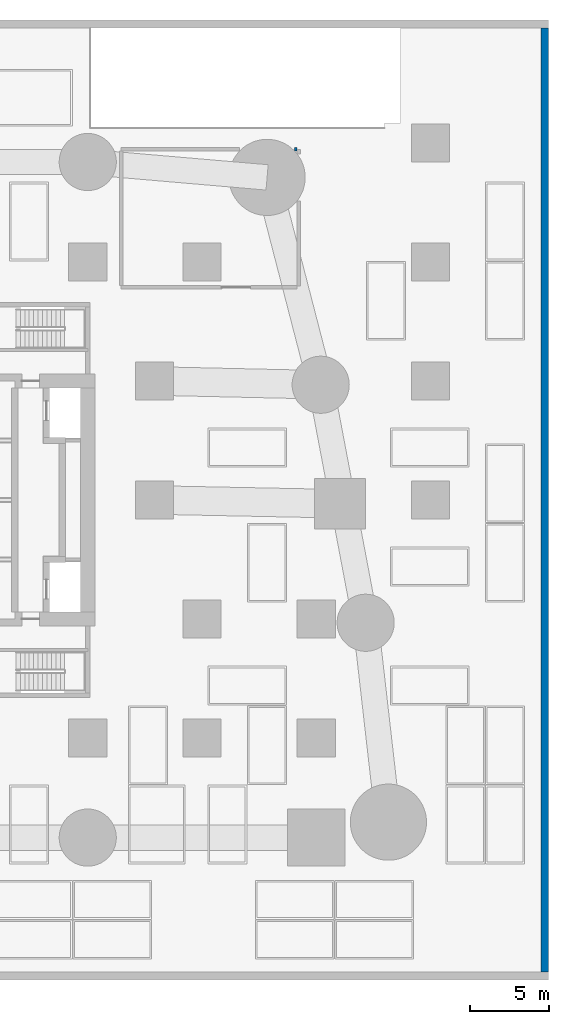
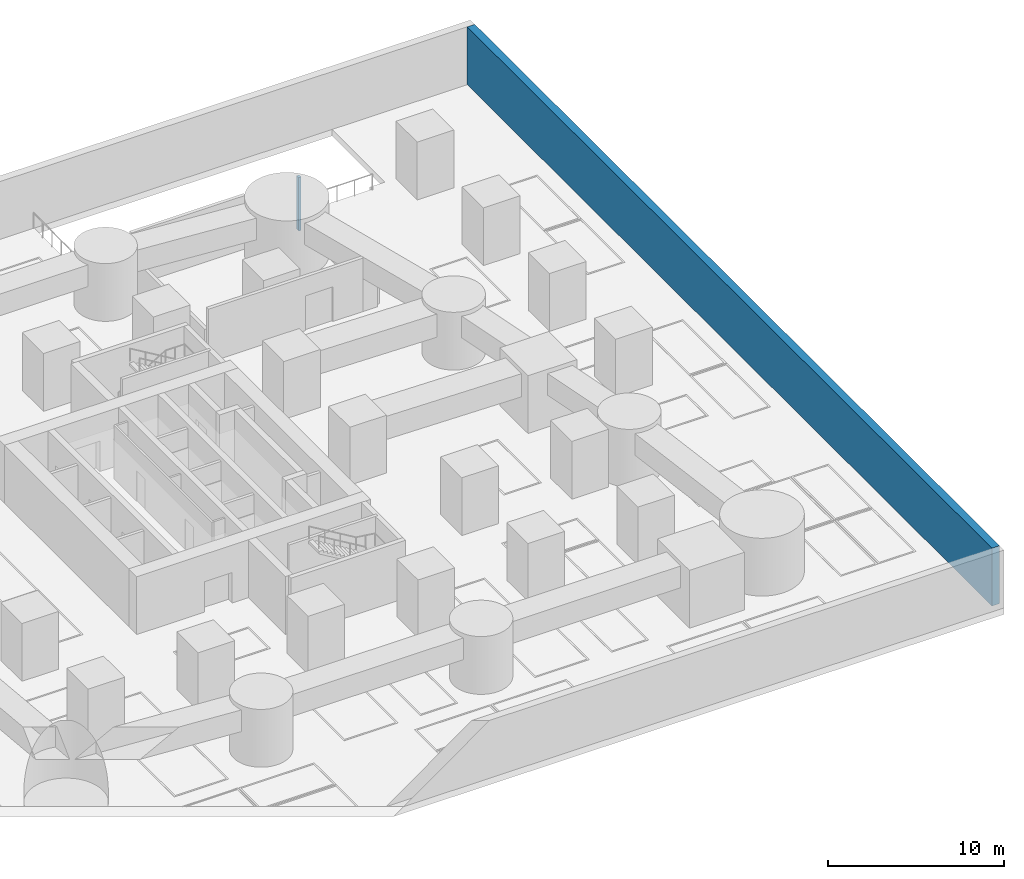
# One storey, part 5 of 8: 2 walls.
"""IFC4 building model written with IfcOpenShell, lengths in metres."""

from ifc_helpers import new_model, si_unit, direction, frame, frame_2d, origin, place, context, subcontext, project, spatial, rectangle, extrude, material, layer, layer_set, type_object, element, save


model = new_model("IFC4")

# Units and contexts
model_context = context("Model", 3, precision=1e-05, world=origin(), true_north=direction((0.0, 1.0)))
body_context = subcontext(model_context, "Body", "Model", "MODEL_VIEW")
ifc_project = project(units=[si_unit("LENGTHUNIT", "METRE"), si_unit("AREAUNIT", "SQUARE_METRE"), si_unit("VOLUMEUNIT", "CUBIC_METRE"), si_unit("PLANEANGLEUNIT", "RADIAN"), si_unit("MASSUNIT", "GRAM", prefix="KILO")], contexts=[model_context])

# Site, building, storey
site_placement = place(None, origin())
site = spatial("IfcSite", under=ifc_project, at=site_placement, CompositionType="ELEMENT")
building_placement = place(site_placement, origin())
building = spatial("IfcBuilding", under=site, at=building_placement, Name="Sheger Commons Tower", CompositionType="ELEMENT")
storey_placement = place(building_placement, frame((0.0, 0.0, -4.0)))
storey = spatial("IfcBuildingStorey", under=building, at=storey_placement, Name="B1", CompositionType="ELEMENT", Elevation=-4.0)

# Walls
ifc_material_1 = material(Name="Dense concrete block masonry, skimmed both sides", Category="masonry")
ifc_layer_1 = layer(ifc_material_1, 0.22509765625)
ifc_layer_set_1 = layer_set([ifc_layer_1], Name="FIRE WALL 225")
wall_type_1 = type_object("IfcWallType", Name="FIRE WALL 225", PredefinedType="SOLIDWALL", material=ifc_layer_set_1)
wall_1_placement = place(storey_placement, frame((41.837890625, 44.60009765625, 0.0), z_axis=(0.0, 0.0, 1.0), x_axis=(1.0, 0.0, 0.0)))
element("IfcWall", 1, at=wall_1_placement, inside=storey, type_object=wall_type_1, Name="Plant room wall B1", PredefinedType="SOLIDWALL", context=body_context, shape_type="SweptSolid", body=[
    extrude(rectangle(XDim=0.150146484375, YDim=0.22509765625, at=frame_2d((0.0751953125, 0.0))), origin(), (0.0, 0.0, 1.0), 3.699951171875),
])
ifc_material_2 = material(Name="Concrete C40/50", Category="concrete")
ifc_layer_2 = layer(ifc_material_2, 0.5)
ifc_layer_set_2 = layer_set([ifc_layer_2], Name="RETAINING WALL 500")
wall_type_2 = type_object("IfcWallType", Name="RETAINING WALL 500", PredefinedType="SOLIDWALL", material=ifc_layer_set_2)
wall_2_placement = place(storey_placement, frame((57.60009765625, -7.25, 0.0), z_axis=(0.0, 0.0, 1.0), x_axis=(0.0, 1.0, 0.0)))
element("IfcWall", 2, at=wall_2_placement, inside=storey, type_object=wall_type_2, Name="Retaining wall east B1", PredefinedType="SOLIDWALL", context=body_context, shape_type="SweptSolid", body=[
    extrude(rectangle(XDim=59.5, YDim=0.5, at=frame_2d((29.75, 0.0))), origin(), (0.0, 0.0, 1.0), 4.0),
])

save(model, "model.ifc")
